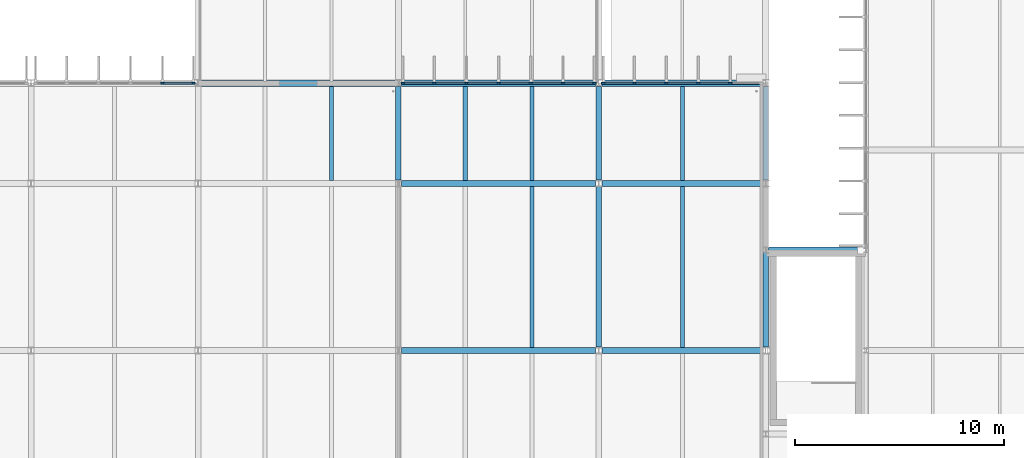
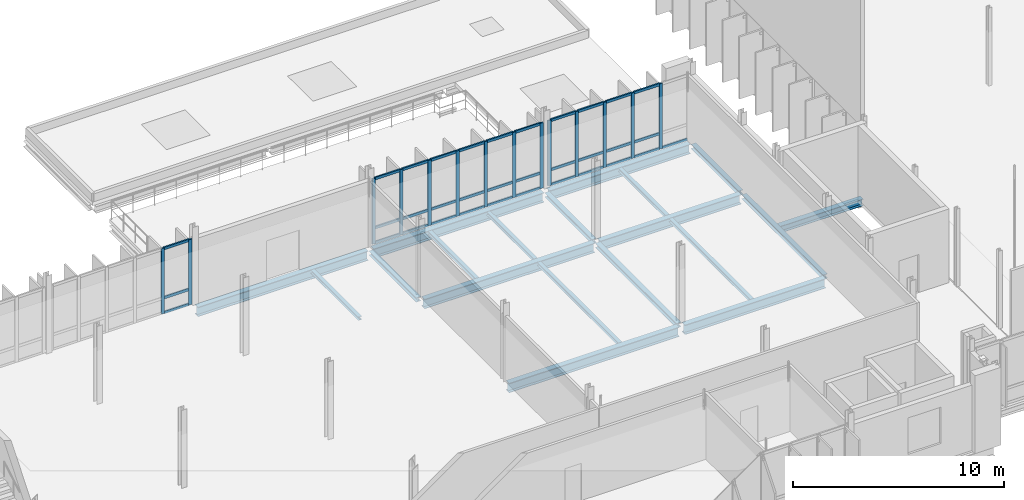
# One storey, part 36 of 110: 48 members, 19 beams, 3 elements without a shape of their own.
"""IFC4 building model written with IfcOpenShell, lengths in metres."""

from ifc_helpers import new_model, si_unit, direction, frame, origin, origin_2d, place, context, subcontext, project, spatial, rectangle, i_section, extrude, material, material_profile, profile_set, type_object, element, aggregate, save


model = new_model("IFC4")

# Units and contexts
model_context = context("Model", 3, precision=1e-05, world=origin(), true_north=direction((0.0, 1.0)))
body_context = subcontext(model_context, "Body", "Model", "MODEL_VIEW")
ifc_project = project(units=[si_unit("LENGTHUNIT", "METRE"), si_unit("AREAUNIT", "SQUARE_METRE"), si_unit("VOLUMEUNIT", "CUBIC_METRE"), si_unit("PLANEANGLEUNIT", "RADIAN"), si_unit("MASSUNIT", "GRAM", prefix="KILO")], contexts=[model_context])

# Site, building, storey
site_placement = place(None, origin())
site = spatial("IfcSite", under=ifc_project, at=site_placement, CompositionType="ELEMENT")
building_placement = place(site_placement, origin())
building = spatial("IfcBuilding", under=site, at=building_placement, Name="Dunescarp Central Library", CompositionType="ELEMENT")
storey_placement = place(building_placement, frame((0.0, 0.0, 9.60009765625)))
storey = spatial("IfcBuildingStorey", under=building, at=storey_placement, Name="L02", CompositionType="ELEMENT", Elevation=9.60009765625)

# Curtain wall, members
ifc_material_1 = material(Name="Marine-grade anodised aluminium 6063-T6", Category="aluminium")
curtain_wall_type = type_object("IfcCurtainWallType", Name="ARC-CW-STICK", PredefinedType="NOTDEFINED", material=ifc_material_1)
curtain_wall_1_placement = place(storey_placement, origin())
curtain_wall_1 = element("IfcCurtainWall", 1, at=curtain_wall_1_placement, inside=storey, type_object=curtain_wall_type, Name="L02 curtain wall CW-V3-095", PredefinedType="NOTDEFINED")
ifc_material_profile_1 = material_profile(ifc_material_1, rectangle(XDim=0.080078125, YDim=0.179931640625, at=origin_2d()), Name="AL 80x180")
ifc_profile_set_1 = profile_set([ifc_material_profile_1], Name="Marine-grade anodised aluminium 6063-T6")
member_type_1 = type_object("IfcMemberType", Name="ARC-CWM-180", PredefinedType="MULLION", material=ifc_profile_set_1)
member_1_placement = place(storey_placement, frame((95.89501953125, 33.60009765625, 0.0), z_axis=(0.0, 0.0, 1.0), x_axis=(0.0, 1.0, 0.0)))
member_1 = element("IfcMember", 2, at=member_1_placement, type_object=member_type_1, Name="CW-V3-095 mullion 5", PredefinedType="MULLION", context=body_context, shape_type="SweptSolid", body=[
    extrude(rectangle(XDim=0.080078125, YDim=0.179931640625, at=origin_2d()), origin(), (0.0, 0.0, 1.0), 3.77490234375),
])
member_2_placement = place(storey_placement, frame((97.385009765625, 33.60009765625, 0.0), z_axis=(0.0, 0.0, 1.0), x_axis=(0.0, 1.0, 0.0)))
member_2 = element("IfcMember", 3, at=member_2_placement, type_object=member_type_1, Name="CW-V3-095 mullion 6", PredefinedType="MULLION", context=body_context, shape_type="SweptSolid", body=[
    extrude(rectangle(XDim=0.080078125, YDim=0.179931640625, at=origin_2d()), origin(), (0.0, 0.0, 1.0), 3.77490234375),
])

curtain_wall_2_placement = place(storey_placement, origin())
curtain_wall_2 = element("IfcCurtainWall", 4, at=curtain_wall_2_placement, inside=storey, type_object=curtain_wall_type, Name="L02 curtain wall CW-V3-096", PredefinedType="NOTDEFINED")
member_3_placement = place(storey_placement, frame((107.4150390625, 33.60009765625, 0.0), z_axis=(0.0, 0.0, 1.0), x_axis=(0.0, 1.0, 0.0)))
member_3 = element("IfcMember", 5, at=member_3_placement, type_object=member_type_1, Name="CW-V3-096 mullion 1", PredefinedType="MULLION", context=body_context, shape_type="SweptSolid", body=[
    extrude(rectangle(XDim=0.080078125, YDim=0.179931640625, at=origin_2d()), origin(), (0.0, 0.0, 1.0), 3.77490234375),
])
member_4_placement = place(storey_placement, frame((108.916748046875, 33.60009765625, 0.0), z_axis=(0.0, 0.0, 1.0), x_axis=(0.0, 1.0, 0.0)))
member_4 = element("IfcMember", 6, at=member_4_placement, type_object=member_type_1, Name="CW-V3-096 mullion 2", PredefinedType="MULLION", context=body_context, shape_type="SweptSolid", body=[
    extrude(rectangle(XDim=0.080078125, YDim=0.179931640625, at=origin_2d()), origin(), (0.0, 0.0, 1.0), 3.77490234375),
])
member_5_placement = place(storey_placement, frame((110.458251953125, 33.60009765625, 0.0), z_axis=(0.0, 0.0, 1.0), x_axis=(0.0, 1.0, 0.0)))
member_5 = element("IfcMember", 7, at=member_5_placement, type_object=member_type_1, Name="CW-V3-096 mullion 3", PredefinedType="MULLION", context=body_context, shape_type="SweptSolid", body=[
    extrude(rectangle(XDim=0.080078125, YDim=0.179931640625, at=origin_2d()), origin(), (0.0, 0.0, 1.0), 3.77490234375),
])
member_6_placement = place(storey_placement, frame((112.0, 33.60009765625, 0.0), z_axis=(0.0, 0.0, 1.0), x_axis=(0.0, 1.0, 0.0)))
member_6 = element("IfcMember", 8, at=member_6_placement, type_object=member_type_1, Name="CW-V3-096 mullion 4", PredefinedType="MULLION", context=body_context, shape_type="SweptSolid", body=[
    extrude(rectangle(XDim=0.080078125, YDim=0.179931640625, at=origin_2d()), origin(), (0.0, 0.0, 1.0), 3.77490234375),
])
member_7_placement = place(storey_placement, frame((113.541748046875, 33.60009765625, 0.0), z_axis=(0.0, 0.0, 1.0), x_axis=(0.0, 1.0, 0.0)))
member_7 = element("IfcMember", 9, at=member_7_placement, type_object=member_type_1, Name="CW-V3-096 mullion 5", PredefinedType="MULLION", context=body_context, shape_type="SweptSolid", body=[
    extrude(rectangle(XDim=0.080078125, YDim=0.179931640625, at=origin_2d()), origin(), (0.0, 0.0, 1.0), 3.77490234375),
])
member_8_placement = place(storey_placement, frame((115.083251953125, 33.60009765625, 0.0), z_axis=(0.0, 0.0, 1.0), x_axis=(0.0, 1.0, 0.0)))
member_8 = element("IfcMember", 10, at=member_8_placement, type_object=member_type_1, Name="CW-V3-096 mullion 6", PredefinedType="MULLION", context=body_context, shape_type="SweptSolid", body=[
    extrude(rectangle(XDim=0.080078125, YDim=0.179931640625, at=origin_2d()), origin(), (0.0, 0.0, 1.0), 3.77490234375),
])
member_9_placement = place(storey_placement, frame((116.5849609375, 33.60009765625, 0.0), z_axis=(0.0, 0.0, 1.0), x_axis=(0.0, 1.0, 0.0)))
member_9 = element("IfcMember", 11, at=member_9_placement, type_object=member_type_1, Name="CW-V3-096 mullion 7", PredefinedType="MULLION", context=body_context, shape_type="SweptSolid", body=[
    extrude(rectangle(XDim=0.080078125, YDim=0.179931640625, at=origin_2d()), origin(), (0.0, 0.0, 1.0), 3.77490234375),
])

curtain_wall_3_placement = place(storey_placement, origin())
curtain_wall_3 = element("IfcCurtainWall", 12, at=curtain_wall_3_placement, inside=storey, type_object=curtain_wall_type, Name="L02 curtain wall CW-V3-097", PredefinedType="NOTDEFINED")
member_10_placement = place(storey_placement, frame((117.014892578125, 33.60009765625, 0.0), z_axis=(0.0, 0.0, 1.0), x_axis=(0.0, 1.0, 0.0)))
member_10 = element("IfcMember", 13, at=member_10_placement, type_object=member_type_1, Name="CW-V3-097 mullion 1", PredefinedType="MULLION", context=body_context, shape_type="SweptSolid", body=[
    extrude(rectangle(XDim=0.080078125, YDim=0.179931640625, at=origin_2d()), origin(), (0.0, 0.0, 1.0), 3.77490234375),
])
member_11_placement = place(storey_placement, frame((118.5048828125, 33.60009765625, 0.0), z_axis=(0.0, 0.0, 1.0), x_axis=(0.0, 1.0, 0.0)))
member_11 = element("IfcMember", 14, at=member_11_placement, type_object=member_type_1, Name="CW-V3-097 mullion 2", PredefinedType="MULLION", context=body_context, shape_type="SweptSolid", body=[
    extrude(rectangle(XDim=0.080078125, YDim=0.179931640625, at=origin_2d()), origin(), (0.0, 0.0, 1.0), 3.77490234375),
])
member_12_placement = place(storey_placement, frame((120.034912109375, 33.60009765625, 0.0), z_axis=(0.0, 0.0, 1.0), x_axis=(0.0, 1.0, 0.0)))
member_12 = element("IfcMember", 15, at=member_12_placement, type_object=member_type_1, Name="CW-V3-097 mullion 3", PredefinedType="MULLION", context=body_context, shape_type="SweptSolid", body=[
    extrude(rectangle(XDim=0.080078125, YDim=0.179931640625, at=origin_2d()), origin(), (0.0, 0.0, 1.0), 3.77490234375),
])
member_13_placement = place(storey_placement, frame((121.56494140625, 33.60009765625, 0.0), z_axis=(0.0, 0.0, 1.0), x_axis=(0.0, 1.0, 0.0)))
member_13 = element("IfcMember", 16, at=member_13_placement, type_object=member_type_1, Name="CW-V3-097 mullion 4", PredefinedType="MULLION", context=body_context, shape_type="SweptSolid", body=[
    extrude(rectangle(XDim=0.080078125, YDim=0.179931640625, at=origin_2d()), origin(), (0.0, 0.0, 1.0), 3.77490234375),
])
member_14_placement = place(storey_placement, frame((123.094970703125, 33.60009765625, 0.0), z_axis=(0.0, 0.0, 1.0), x_axis=(0.0, 1.0, 0.0)))
member_14 = element("IfcMember", 17, at=member_14_placement, type_object=member_type_1, Name="CW-V3-097 mullion 5", PredefinedType="MULLION", context=body_context, shape_type="SweptSolid", body=[
    extrude(rectangle(XDim=0.080078125, YDim=0.179931640625, at=origin_2d()), origin(), (0.0, 0.0, 1.0), 3.77490234375),
])

# Member
ifc_material_profile_2 = material_profile(ifc_material_1, rectangle(XDim=0.080078125, YDim=0.14990234375, at=origin_2d()), Name="AL 80x150")
ifc_profile_set_2 = profile_set([ifc_material_profile_2], Name="Marine-grade anodised aluminium 6063-T6")
member_type_2 = type_object("IfcMemberType", Name="ARC-CWT-150", PredefinedType="USERDEFINED", material=ifc_profile_set_2)
member_15_placement = place(storey_placement, frame((95.93505859375, 33.60009765625, 0.039794921875), z_axis=(1.0, 0.0, 0.0), x_axis=(0.0, 1.0, 0.0)))
member_15 = element("IfcMember", 18, at=member_15_placement, type_object=member_type_2, Name="CW-V3-095 transom 5.1", ObjectType="TRANSOM", PredefinedType="USERDEFINED", context=body_context, shape_type="SweptSolid", body=[
    extrude(rectangle(XDim=0.080078125, YDim=0.14990234375, at=origin_2d()), origin(), (0.0, 0.0, 1.0), 1.409912109375),
])

member_16_placement = place(storey_placement, frame((95.93505859375, 33.60009765625, 0.89990234375), z_axis=(1.0, 0.0, 0.0), x_axis=(0.0, 1.0, 0.0)))
member_16 = element("IfcMember", 19, at=member_16_placement, type_object=member_type_2, Name="CW-V3-095 transom 5.2", ObjectType="TRANSOM", PredefinedType="USERDEFINED", context=body_context, shape_type="SweptSolid", body=[
    extrude(rectangle(XDim=0.080078125, YDim=0.14990234375, at=origin_2d()), origin(), (0.0, 0.0, 1.0), 1.409912109375),
])

member_17_placement = place(storey_placement, frame((95.93505859375, 33.60009765625, 3.73486328125), z_axis=(1.0, 0.0, 0.0), x_axis=(0.0, 1.0, 0.0)))
member_17 = element("IfcMember", 20, at=member_17_placement, type_object=member_type_2, Name="CW-V3-095 transom 5.3", ObjectType="TRANSOM", PredefinedType="USERDEFINED", context=body_context, shape_type="SweptSolid", body=[
    extrude(rectangle(XDim=0.080078125, YDim=0.14990234375, at=origin_2d()), origin(), (0.0, 0.0, 1.0), 1.409912109375),
])

aggregate(curtain_wall_1, [member_1, member_2, member_15, member_16, member_17])

member_18_placement = place(storey_placement, frame((107.455078125, 33.60009765625, 0.039794921875), z_axis=(1.0, 0.0, 0.0), x_axis=(0.0, 1.0, 0.0)))
member_18 = element("IfcMember", 21, at=member_18_placement, type_object=member_type_2, Name="CW-V3-096 transom 1.1", ObjectType="TRANSOM", PredefinedType="USERDEFINED", context=body_context, shape_type="SweptSolid", body=[
    extrude(rectangle(XDim=0.080078125, YDim=0.14990234375, at=origin_2d()), origin(), (0.0, 0.0, 1.0), 1.421630859375),
])

member_19_placement = place(storey_placement, frame((107.455078125, 33.60009765625, 0.89990234375), z_axis=(1.0, 0.0, 0.0), x_axis=(0.0, 1.0, 0.0)))
member_19 = element("IfcMember", 22, at=member_19_placement, type_object=member_type_2, Name="CW-V3-096 transom 1.2", ObjectType="TRANSOM", PredefinedType="USERDEFINED", context=body_context, shape_type="SweptSolid", body=[
    extrude(rectangle(XDim=0.080078125, YDim=0.14990234375, at=origin_2d()), origin(), (0.0, 0.0, 1.0), 1.421630859375),
])

member_20_placement = place(storey_placement, frame((107.455078125, 33.60009765625, 3.73486328125), z_axis=(1.0, 0.0, 0.0), x_axis=(0.0, 1.0, 0.0)))
member_20 = element("IfcMember", 23, at=member_20_placement, type_object=member_type_2, Name="CW-V3-096 transom 1.3", ObjectType="TRANSOM", PredefinedType="USERDEFINED", context=body_context, shape_type="SweptSolid", body=[
    extrude(rectangle(XDim=0.080078125, YDim=0.14990234375, at=origin_2d()), origin(), (0.0, 0.0, 1.0), 1.421630859375),
])

member_21_placement = place(storey_placement, frame((108.956787109375, 33.60009765625, 0.039794921875), z_axis=(1.0, 0.0, 0.0), x_axis=(0.0, 1.0, 0.0)))
member_21 = element("IfcMember", 24, at=member_21_placement, type_object=member_type_2, Name="CW-V3-096 transom 2.1", ObjectType="TRANSOM", PredefinedType="USERDEFINED", context=body_context, shape_type="SweptSolid", body=[
    extrude(rectangle(XDim=0.080078125, YDim=0.14990234375, at=origin_2d()), origin(), (0.0, 0.0, 1.0), 1.46142578125),
])

member_22_placement = place(storey_placement, frame((108.956787109375, 33.60009765625, 0.89990234375), z_axis=(1.0, 0.0, 0.0), x_axis=(0.0, 1.0, 0.0)))
member_22 = element("IfcMember", 25, at=member_22_placement, type_object=member_type_2, Name="CW-V3-096 transom 2.2", ObjectType="TRANSOM", PredefinedType="USERDEFINED", context=body_context, shape_type="SweptSolid", body=[
    extrude(rectangle(XDim=0.080078125, YDim=0.14990234375, at=origin_2d()), origin(), (0.0, 0.0, 1.0), 1.46142578125),
])

member_23_placement = place(storey_placement, frame((108.956787109375, 33.60009765625, 3.73486328125), z_axis=(1.0, 0.0, 0.0), x_axis=(0.0, 1.0, 0.0)))
member_23 = element("IfcMember", 26, at=member_23_placement, type_object=member_type_2, Name="CW-V3-096 transom 2.3", ObjectType="TRANSOM", PredefinedType="USERDEFINED", context=body_context, shape_type="SweptSolid", body=[
    extrude(rectangle(XDim=0.080078125, YDim=0.14990234375, at=origin_2d()), origin(), (0.0, 0.0, 1.0), 1.46142578125),
])

member_24_placement = place(storey_placement, frame((110.498291015625, 33.60009765625, 0.039794921875), z_axis=(1.0, 0.0, 0.0), x_axis=(0.0, 1.0, 0.0)))
member_24 = element("IfcMember", 27, at=member_24_placement, type_object=member_type_2, Name="CW-V3-096 transom 3.1", ObjectType="TRANSOM", PredefinedType="USERDEFINED", context=body_context, shape_type="SweptSolid", body=[
    extrude(rectangle(XDim=0.080078125, YDim=0.14990234375, at=origin_2d()), origin(), (0.0, 0.0, 1.0), 1.461669921875),
])

member_25_placement = place(storey_placement, frame((110.498291015625, 33.60009765625, 0.89990234375), z_axis=(1.0, 0.0, 0.0), x_axis=(0.0, 1.0, 0.0)))
member_25 = element("IfcMember", 28, at=member_25_placement, type_object=member_type_2, Name="CW-V3-096 transom 3.2", ObjectType="TRANSOM", PredefinedType="USERDEFINED", context=body_context, shape_type="SweptSolid", body=[
    extrude(rectangle(XDim=0.080078125, YDim=0.14990234375, at=origin_2d()), origin(), (0.0, 0.0, 1.0), 1.461669921875),
])

member_26_placement = place(storey_placement, frame((110.498291015625, 33.60009765625, 3.73486328125), z_axis=(1.0, 0.0, 0.0), x_axis=(0.0, 1.0, 0.0)))
member_26 = element("IfcMember", 29, at=member_26_placement, type_object=member_type_2, Name="CW-V3-096 transom 3.3", ObjectType="TRANSOM", PredefinedType="USERDEFINED", context=body_context, shape_type="SweptSolid", body=[
    extrude(rectangle(XDim=0.080078125, YDim=0.14990234375, at=origin_2d()), origin(), (0.0, 0.0, 1.0), 1.461669921875),
])

member_27_placement = place(storey_placement, frame((112.0400390625, 33.60009765625, 0.039794921875), z_axis=(1.0, 0.0, 0.0), x_axis=(0.0, 1.0, 0.0)))
member_27 = element("IfcMember", 30, at=member_27_placement, type_object=member_type_2, Name="CW-V3-096 transom 4.1", ObjectType="TRANSOM", PredefinedType="USERDEFINED", context=body_context, shape_type="SweptSolid", body=[
    extrude(rectangle(XDim=0.080078125, YDim=0.14990234375, at=origin_2d()), origin(), (0.0, 0.0, 1.0), 1.461669921875),
])

member_28_placement = place(storey_placement, frame((112.0400390625, 33.60009765625, 0.89990234375), z_axis=(1.0, 0.0, 0.0), x_axis=(0.0, 1.0, 0.0)))
member_28 = element("IfcMember", 31, at=member_28_placement, type_object=member_type_2, Name="CW-V3-096 transom 4.2", ObjectType="TRANSOM", PredefinedType="USERDEFINED", context=body_context, shape_type="SweptSolid", body=[
    extrude(rectangle(XDim=0.080078125, YDim=0.14990234375, at=origin_2d()), origin(), (0.0, 0.0, 1.0), 1.461669921875),
])

member_29_placement = place(storey_placement, frame((112.0400390625, 33.60009765625, 3.73486328125), z_axis=(1.0, 0.0, 0.0), x_axis=(0.0, 1.0, 0.0)))
member_29 = element("IfcMember", 32, at=member_29_placement, type_object=member_type_2, Name="CW-V3-096 transom 4.3", ObjectType="TRANSOM", PredefinedType="USERDEFINED", context=body_context, shape_type="SweptSolid", body=[
    extrude(rectangle(XDim=0.080078125, YDim=0.14990234375, at=origin_2d()), origin(), (0.0, 0.0, 1.0), 1.461669921875),
])

member_30_placement = place(storey_placement, frame((113.581787109375, 33.60009765625, 0.039794921875), z_axis=(1.0, 0.0, 0.0), x_axis=(0.0, 1.0, 0.0)))
member_30 = element("IfcMember", 33, at=member_30_placement, type_object=member_type_2, Name="CW-V3-096 transom 5.1", ObjectType="TRANSOM", PredefinedType="USERDEFINED", context=body_context, shape_type="SweptSolid", body=[
    extrude(rectangle(XDim=0.080078125, YDim=0.14990234375, at=origin_2d()), origin(), (0.0, 0.0, 1.0), 1.46142578125),
])

member_31_placement = place(storey_placement, frame((113.581787109375, 33.60009765625, 0.89990234375), z_axis=(1.0, 0.0, 0.0), x_axis=(0.0, 1.0, 0.0)))
member_31 = element("IfcMember", 34, at=member_31_placement, type_object=member_type_2, Name="CW-V3-096 transom 5.2", ObjectType="TRANSOM", PredefinedType="USERDEFINED", context=body_context, shape_type="SweptSolid", body=[
    extrude(rectangle(XDim=0.080078125, YDim=0.14990234375, at=origin_2d()), origin(), (0.0, 0.0, 1.0), 1.46142578125),
])

member_32_placement = place(storey_placement, frame((113.581787109375, 33.60009765625, 3.73486328125), z_axis=(1.0, 0.0, 0.0), x_axis=(0.0, 1.0, 0.0)))
member_32 = element("IfcMember", 35, at=member_32_placement, type_object=member_type_2, Name="CW-V3-096 transom 5.3", ObjectType="TRANSOM", PredefinedType="USERDEFINED", context=body_context, shape_type="SweptSolid", body=[
    extrude(rectangle(XDim=0.080078125, YDim=0.14990234375, at=origin_2d()), origin(), (0.0, 0.0, 1.0), 1.46142578125),
])

member_33_placement = place(storey_placement, frame((115.123291015625, 33.60009765625, 0.039794921875), z_axis=(1.0, 0.0, 0.0), x_axis=(0.0, 1.0, 0.0)))
member_33 = element("IfcMember", 36, at=member_33_placement, type_object=member_type_2, Name="CW-V3-096 transom 6.1", ObjectType="TRANSOM", PredefinedType="USERDEFINED", context=body_context, shape_type="SweptSolid", body=[
    extrude(rectangle(XDim=0.080078125, YDim=0.14990234375, at=origin_2d()), origin(), (0.0, 0.0, 1.0), 1.421630859375),
])

member_34_placement = place(storey_placement, frame((115.123291015625, 33.60009765625, 0.89990234375), z_axis=(1.0, 0.0, 0.0), x_axis=(0.0, 1.0, 0.0)))
member_34 = element("IfcMember", 37, at=member_34_placement, type_object=member_type_2, Name="CW-V3-096 transom 6.2", ObjectType="TRANSOM", PredefinedType="USERDEFINED", context=body_context, shape_type="SweptSolid", body=[
    extrude(rectangle(XDim=0.080078125, YDim=0.14990234375, at=origin_2d()), origin(), (0.0, 0.0, 1.0), 1.421630859375),
])

member_35_placement = place(storey_placement, frame((115.123291015625, 33.60009765625, 3.73486328125), z_axis=(1.0, 0.0, 0.0), x_axis=(0.0, 1.0, 0.0)))
member_35 = element("IfcMember", 38, at=member_35_placement, type_object=member_type_2, Name="CW-V3-096 transom 6.3", ObjectType="TRANSOM", PredefinedType="USERDEFINED", context=body_context, shape_type="SweptSolid", body=[
    extrude(rectangle(XDim=0.080078125, YDim=0.14990234375, at=origin_2d()), origin(), (0.0, 0.0, 1.0), 1.421630859375),
])

aggregate(curtain_wall_2, [member_3, member_4, member_5, member_6, member_7, member_8, member_9, member_18, member_19, member_20, member_21, member_22, member_23, member_24, member_25, member_26, member_27, member_28, member_29, member_30, member_31, member_32, member_33, member_34, member_35])

member_36_placement = place(storey_placement, frame((117.054931640625, 33.60009765625, 0.039794921875), z_axis=(1.0, 0.0, 0.0), x_axis=(0.0, 1.0, 0.0)))
member_36 = element("IfcMember", 39, at=member_36_placement, type_object=member_type_2, Name="CW-V3-097 transom 1.1", ObjectType="TRANSOM", PredefinedType="USERDEFINED", context=body_context, shape_type="SweptSolid", body=[
    extrude(rectangle(XDim=0.080078125, YDim=0.14990234375, at=origin_2d()), origin(), (0.0, 0.0, 1.0), 1.41015625),
])

member_37_placement = place(storey_placement, frame((117.054931640625, 33.60009765625, 0.89990234375), z_axis=(1.0, 0.0, 0.0), x_axis=(0.0, 1.0, 0.0)))
member_37 = element("IfcMember", 40, at=member_37_placement, type_object=member_type_2, Name="CW-V3-097 transom 1.2", ObjectType="TRANSOM", PredefinedType="USERDEFINED", context=body_context, shape_type="SweptSolid", body=[
    extrude(rectangle(XDim=0.080078125, YDim=0.14990234375, at=origin_2d()), origin(), (0.0, 0.0, 1.0), 1.41015625),
])

member_38_placement = place(storey_placement, frame((117.054931640625, 33.60009765625, 3.73486328125), z_axis=(1.0, 0.0, 0.0), x_axis=(0.0, 1.0, 0.0)))
member_38 = element("IfcMember", 41, at=member_38_placement, type_object=member_type_2, Name="CW-V3-097 transom 1.3", ObjectType="TRANSOM", PredefinedType="USERDEFINED", context=body_context, shape_type="SweptSolid", body=[
    extrude(rectangle(XDim=0.080078125, YDim=0.14990234375, at=origin_2d()), origin(), (0.0, 0.0, 1.0), 1.41015625),
])

member_39_placement = place(storey_placement, frame((118.544921875, 33.60009765625, 0.039794921875), z_axis=(1.0, 0.0, 0.0), x_axis=(0.0, 1.0, 0.0)))
member_39 = element("IfcMember", 42, at=member_39_placement, type_object=member_type_2, Name="CW-V3-097 transom 2.1", ObjectType="TRANSOM", PredefinedType="USERDEFINED", context=body_context, shape_type="SweptSolid", body=[
    extrude(rectangle(XDim=0.080078125, YDim=0.14990234375, at=origin_2d()), origin(), (0.0, 0.0, 1.0), 1.4501953125),
])

member_40_placement = place(storey_placement, frame((118.544921875, 33.60009765625, 0.89990234375), z_axis=(1.0, 0.0, 0.0), x_axis=(0.0, 1.0, 0.0)))
member_40 = element("IfcMember", 43, at=member_40_placement, type_object=member_type_2, Name="CW-V3-097 transom 2.2", ObjectType="TRANSOM", PredefinedType="USERDEFINED", context=body_context, shape_type="SweptSolid", body=[
    extrude(rectangle(XDim=0.080078125, YDim=0.14990234375, at=origin_2d()), origin(), (0.0, 0.0, 1.0), 1.4501953125),
])

member_41_placement = place(storey_placement, frame((118.544921875, 33.60009765625, 3.73486328125), z_axis=(1.0, 0.0, 0.0), x_axis=(0.0, 1.0, 0.0)))
member_41 = element("IfcMember", 44, at=member_41_placement, type_object=member_type_2, Name="CW-V3-097 transom 2.3", ObjectType="TRANSOM", PredefinedType="USERDEFINED", context=body_context, shape_type="SweptSolid", body=[
    extrude(rectangle(XDim=0.080078125, YDim=0.14990234375, at=origin_2d()), origin(), (0.0, 0.0, 1.0), 1.4501953125),
])

member_42_placement = place(storey_placement, frame((120.074951171875, 33.60009765625, 0.039794921875), z_axis=(1.0, 0.0, 0.0), x_axis=(0.0, 1.0, 0.0)))
member_42 = element("IfcMember", 45, at=member_42_placement, type_object=member_type_2, Name="CW-V3-097 transom 3.1", ObjectType="TRANSOM", PredefinedType="USERDEFINED", context=body_context, shape_type="SweptSolid", body=[
    extrude(rectangle(XDim=0.080078125, YDim=0.14990234375, at=origin_2d()), origin(), (0.0, 0.0, 1.0), 1.449951171875),
])

member_43_placement = place(storey_placement, frame((120.074951171875, 33.60009765625, 0.89990234375), z_axis=(1.0, 0.0, 0.0), x_axis=(0.0, 1.0, 0.0)))
member_43 = element("IfcMember", 46, at=member_43_placement, type_object=member_type_2, Name="CW-V3-097 transom 3.2", ObjectType="TRANSOM", PredefinedType="USERDEFINED", context=body_context, shape_type="SweptSolid", body=[
    extrude(rectangle(XDim=0.080078125, YDim=0.14990234375, at=origin_2d()), origin(), (0.0, 0.0, 1.0), 1.449951171875),
])

member_44_placement = place(storey_placement, frame((120.074951171875, 33.60009765625, 3.73486328125), z_axis=(1.0, 0.0, 0.0), x_axis=(0.0, 1.0, 0.0)))
member_44 = element("IfcMember", 47, at=member_44_placement, type_object=member_type_2, Name="CW-V3-097 transom 3.3", ObjectType="TRANSOM", PredefinedType="USERDEFINED", context=body_context, shape_type="SweptSolid", body=[
    extrude(rectangle(XDim=0.080078125, YDim=0.14990234375, at=origin_2d()), origin(), (0.0, 0.0, 1.0), 1.449951171875),
])

member_45_placement = place(storey_placement, frame((121.60498046875, 33.60009765625, 0.039794921875), z_axis=(1.0, 0.0, 0.0), x_axis=(0.0, 1.0, 0.0)))
member_45 = element("IfcMember", 48, at=member_45_placement, type_object=member_type_2, Name="CW-V3-097 transom 4.1", ObjectType="TRANSOM", PredefinedType="USERDEFINED", context=body_context, shape_type="SweptSolid", body=[
    extrude(rectangle(XDim=0.080078125, YDim=0.14990234375, at=origin_2d()), origin(), (0.0, 0.0, 1.0), 1.449951171875),
])

member_46_placement = place(storey_placement, frame((121.60498046875, 33.60009765625, 0.89990234375), z_axis=(1.0, 0.0, 0.0), x_axis=(0.0, 1.0, 0.0)))
member_46 = element("IfcMember", 49, at=member_46_placement, type_object=member_type_2, Name="CW-V3-097 transom 4.2", ObjectType="TRANSOM", PredefinedType="USERDEFINED", context=body_context, shape_type="SweptSolid", body=[
    extrude(rectangle(XDim=0.080078125, YDim=0.14990234375, at=origin_2d()), origin(), (0.0, 0.0, 1.0), 1.449951171875),
])

member_47_placement = place(storey_placement, frame((121.60498046875, 33.60009765625, 3.73486328125), z_axis=(1.0, 0.0, 0.0), x_axis=(0.0, 1.0, 0.0)))
member_47 = element("IfcMember", 50, at=member_47_placement, type_object=member_type_2, Name="CW-V3-097 transom 4.3", ObjectType="TRANSOM", PredefinedType="USERDEFINED", context=body_context, shape_type="SweptSolid", body=[
    extrude(rectangle(XDim=0.080078125, YDim=0.14990234375, at=origin_2d()), origin(), (0.0, 0.0, 1.0), 1.449951171875),
])

member_48_placement = place(storey_placement, frame((123.135009765625, 33.60009765625, 0.039794921875), z_axis=(1.0, 0.0, 0.0), x_axis=(0.0, 1.0, 0.0)))
member_48 = element("IfcMember", 51, at=member_48_placement, type_object=member_type_2, Name="CW-V3-097 transom 5.1", ObjectType="TRANSOM", PredefinedType="USERDEFINED", context=body_context, shape_type="SweptSolid", body=[
    extrude(rectangle(XDim=0.080078125, YDim=0.14990234375, at=origin_2d()), origin(), (0.0, 0.0, 1.0), 1.409912109375),
])

aggregate(curtain_wall_3, [member_10, member_11, member_12, member_13, member_14, member_36, member_37, member_38, member_39, member_40, member_41, member_42, member_43, member_44, member_45, member_46, member_47, member_48])

# Beams
ifc_material_2 = material(Name="Steel S355JR", Category="steel")
ifc_material_profile_3 = material_profile(ifc_material_2, i_section(OverallWidth=0.260009765625, OverallDepth=0.25, WebThickness=0.007568359375, FlangeThickness=0.012451171875, at=origin_2d()), Name="HEA 260")
ifc_profile_set_3 = profile_set([ifc_material_profile_3], Name="Steel S355JR")
beam_type_1 = type_object("IfcBeamType", Name="STR-BM-HEA260", PredefinedType="BEAM", material=ifc_profile_set_3)
beam_1_placement = place(storey_placement, frame((107.199951171875, 28.95703125, -0.335205078125), z_axis=(0.0, 1.0, 0.0), x_axis=(-1.0, 0.0, 0.0)))
element("IfcBeam", 52, at=beam_1_placement, inside=storey, type_object=beam_type_1, Name="L02 girder BM-L02-0776", PredefinedType="BEAM", context=body_context, shape_type="SweptSolid", body=[
    extrude(i_section(OverallWidth=0.260009765625, OverallDepth=0.25, WebThickness=0.007568359375, FlangeThickness=0.012451171875, at=origin_2d()), origin(), (0.0, 0.0, 1.0), 4.486083984375),
])
beam_2_placement = place(storey_placement, frame((116.800048828125, 20.95703125, -0.335205078125), z_axis=(0.0, 1.0, 0.0), x_axis=(-1.0, 0.0, 0.0)))
element("IfcBeam", 53, at=beam_2_placement, inside=storey, type_object=beam_type_1, Name="L02 girder BM-L02-0789", PredefinedType="BEAM", context=body_context, shape_type="SweptSolid", body=[
    extrude(i_section(OverallWidth=0.260009765625, OverallDepth=0.25, WebThickness=0.007568359375, FlangeThickness=0.012451171875, at=origin_2d()), origin(), (0.0, 0.0, 1.0), 7.68603515625),
])
beam_3_placement = place(storey_placement, frame((116.800048828125, 28.95703125, -0.335205078125), z_axis=(0.0, 1.0, 0.0), x_axis=(-1.0, 0.0, 0.0)))
element("IfcBeam", 54, at=beam_3_placement, inside=storey, type_object=beam_type_1, Name="L02 girder BM-L02-0793", PredefinedType="BEAM", context=body_context, shape_type="SweptSolid", body=[
    extrude(i_section(OverallWidth=0.260009765625, OverallDepth=0.25, WebThickness=0.007568359375, FlangeThickness=0.012451171875, at=origin_2d()), origin(), (0.0, 0.0, 1.0), 4.486083984375),
])
beam_4_placement = place(storey_placement, frame((124.800048828125, 20.95703125, -0.335205078125), z_axis=(0.0, 1.0, 0.0), x_axis=(-1.0, 0.0, 0.0)))
element("IfcBeam", 55, at=beam_4_placement, inside=storey, type_object=beam_type_1, Name="L02 girder BM-L02-0804", PredefinedType="BEAM", context=body_context, shape_type="SweptSolid", body=[
    extrude(i_section(OverallWidth=0.260009765625, OverallDepth=0.25, WebThickness=0.007568359375, FlangeThickness=0.012451171875, at=origin_2d()), origin(), (0.0, 0.0, 1.0), 7.68603515625),
])
beam_5_placement = place(storey_placement, frame((124.800048828125, 28.95703125, -0.335205078125), z_axis=(0.0, 1.0, 0.0), x_axis=(-1.0, 0.0, 0.0)))
element("IfcBeam", 56, at=beam_5_placement, inside=storey, type_object=beam_type_1, Name="L02 girder BM-L02-0807", PredefinedType="BEAM", context=body_context, shape_type="SweptSolid", body=[
    extrude(i_section(OverallWidth=0.260009765625, OverallDepth=0.25, WebThickness=0.007568359375, FlangeThickness=0.012451171875, at=origin_2d()), origin(), (0.0, 0.0, 1.0), 4.486083984375),
])
ifc_material_profile_4 = material_profile(ifc_material_2, i_section(OverallWidth=0.300048828125, OverallDepth=0.389892578125, WebThickness=0.010986328125, FlangeThickness=0.01904296875, at=origin_2d()), Name="HEA 400")
ifc_profile_set_4 = profile_set([ifc_material_profile_4], Name="Steel S355JR")
beam_type_2 = type_object("IfcBeamType", Name="STR-BM-HEA400", PredefinedType="BEAM", material=ifc_profile_set_4)
beam_6_placement = place(storey_placement, frame((124.926025390625, 25.60009765625, -0.405029296875), z_axis=(1.0, 0.0, 0.0), x_axis=(0.0, 1.0, 0.0)))
element("IfcBeam", 57, at=beam_6_placement, inside=storey, type_object=beam_type_2, Name="L02 girder BM-L02-1264", PredefinedType="BEAM", context=body_context, shape_type="SweptSolid", body=[
    extrude(i_section(OverallWidth=0.300048828125, OverallDepth=0.389892578125, WebThickness=0.010986328125, FlangeThickness=0.01904296875, at=origin_2d()), origin(), (0.0, 0.0, 1.0), 4.549072265625),
])
ifc_material_profile_5 = material_profile(ifc_material_2, i_section(OverallWidth=0.300048828125, OverallDepth=0.550048828125, WebThickness=0.014892578125, FlangeThickness=0.029052734375, at=origin_2d()), Name="HEB 550")
ifc_profile_set_5 = profile_set([ifc_material_profile_5], Name="Steel S355JR")
beam_type_3 = type_object("IfcBeamType", Name="STR-BM-HEB550", PredefinedType="BEAM", material=ifc_profile_set_5)
beam_7_placement = place(storey_placement, frame((97.751953125, 33.60009765625, -0.485107421875), z_axis=(1.0, 0.0, 0.0), x_axis=(0.0, 1.0, 0.0)))
element("IfcBeam", 58, at=beam_7_placement, inside=storey, type_object=beam_type_3, Name="L02 girder BM-L02-0775", PredefinedType="BEAM", context=body_context, shape_type="SweptSolid", body=[
    extrude(i_section(OverallWidth=0.300048828125, OverallDepth=0.550048828125, WebThickness=0.014892578125, FlangeThickness=0.029052734375, at=origin_2d()), origin(), (0.0, 0.0, 1.0), 9.296142578125),
])
for number, where, z_axis, x_axis, name in (
    (59, (107.35205078125, 20.800048828125, -0.485107421875), (1.0, 0.0, 0.0), (0.0, 1.0, 0.0), "L02 girder BM-L02-0784"),
    (60, (107.35205078125, 28.800048828125, -0.485107421875), (1.0, 0.0, 0.0), (0.0, 1.0, 0.0), "L02 girder BM-L02-0788"),
    (61, (107.35205078125, 33.60009765625, -0.485107421875), (1.0, 0.0, 0.0), (0.0, 1.0, 0.0), "L02 girder BM-L02-0792"),
):
    element("IfcBeam", number, at=place(storey_placement, frame(where, z_axis=z_axis, x_axis=x_axis)), inside=storey, type_object=beam_type_3, Name=name, PredefinedType="BEAM", context=body_context, shape_type="SweptSolid", body=[
        extrude(i_section(OverallWidth=0.300048828125, OverallDepth=0.550048828125, WebThickness=0.014892578125, FlangeThickness=0.029052734375, at=origin_2d()), origin(), (0.0, 0.0, 1.0), 9.2958984375),
    ])
for number, where, z_axis, x_axis, name in (
    (62, (116.951904296875, 20.800048828125, -0.485107421875), (1.0, 0.0, 0.0), (0.0, 1.0, 0.0), "L02 girder BM-L02-0800"),
    (63, (116.951904296875, 28.800048828125, -0.485107421875), (1.0, 0.0, 0.0), (0.0, 1.0, 0.0), "L02 girder BM-L02-0803"),
    (64, (116.951904296875, 33.60009765625, -0.485107421875), (1.0, 0.0, 0.0), (0.0, 1.0, 0.0), "L02 girder BM-L02-0806"),
):
    element("IfcBeam", number, at=place(storey_placement, frame(where, z_axis=z_axis, x_axis=x_axis)), inside=storey, type_object=beam_type_3, Name=name, PredefinedType="BEAM", context=body_context, shape_type="SweptSolid", body=[
        extrude(i_section(OverallWidth=0.300048828125, OverallDepth=0.550048828125, WebThickness=0.014892578125, FlangeThickness=0.029052734375, at=origin_2d()), origin(), (0.0, 0.0, 1.0), 7.696044921875),
    ])
ifc_material_profile_6 = material_profile(ifc_material_2, i_section(OverallWidth=0.199951171875, OverallDepth=0.18994140625, WebThickness=0.006591796875, FlangeThickness=0.010009765625, at=origin_2d()), Name="HEA 200")
ifc_profile_set_6 = profile_set([ifc_material_profile_6], Name="Steel S355JR")
beam_type_4 = type_object("IfcBeamType", Name="STR-JS-HEA200", PredefinedType="JOIST", material=ifc_profile_set_6)
beam_8_placement = place(storey_placement, frame((104.0, 28.947998046875, -0.30517578125), z_axis=(0.0, 1.0, 0.0), x_axis=(-1.0, 0.0, 0.0)))
element("IfcBeam", 65, at=beam_8_placement, inside=storey, type_object=beam_type_4, Name="L02 joist JS-L02-0778", PredefinedType="JOIST", context=body_context, shape_type="SweptSolid", body=[
    extrude(i_section(OverallWidth=0.199951171875, OverallDepth=0.18994140625, WebThickness=0.006591796875, FlangeThickness=0.010009765625, at=origin_2d()), origin(), (0.0, 0.0, 1.0), 4.50390625),
])
beam_9_placement = place(storey_placement, frame((113.60009765625, 20.947998046875, -0.30517578125), z_axis=(0.0, 1.0, 0.0), x_axis=(-1.0, 0.0, 0.0)))
element("IfcBeam", 66, at=beam_9_placement, inside=storey, type_object=beam_type_4, Name="L02 joist JS-L02-0791", PredefinedType="JOIST", context=body_context, shape_type="SweptSolid", body=[
    extrude(i_section(OverallWidth=0.199951171875, OverallDepth=0.18994140625, WebThickness=0.006591796875, FlangeThickness=0.010009765625, at=origin_2d()), origin(), (0.0, 0.0, 1.0), 7.7041015625),
])
for number, where, z_axis, x_axis, name in (
    (67, (110.39990234375, 28.947998046875, -0.30517578125), (0.0, 1.0, 0.0), (-1.0, 0.0, 0.0), "L02 joist JS-L02-0794"),
    (68, (113.60009765625, 28.947998046875, -0.30517578125), (0.0, 1.0, 0.0), (-1.0, 0.0, 0.0), "L02 joist JS-L02-0795"),
):
    element("IfcBeam", number, at=place(storey_placement, frame(where, z_axis=z_axis, x_axis=x_axis)), inside=storey, type_object=beam_type_4, Name=name, PredefinedType="JOIST", context=body_context, shape_type="SweptSolid", body=[
        extrude(i_section(OverallWidth=0.199951171875, OverallDepth=0.18994140625, WebThickness=0.006591796875, FlangeThickness=0.010009765625, at=origin_2d()), origin(), (0.0, 0.0, 1.0), 4.50390625),
    ])
beam_10_placement = place(storey_placement, frame((120.800048828125, 20.947998046875, -0.30517578125), z_axis=(0.0, 1.0, 0.0), x_axis=(-1.0, 0.0, 0.0)))
element("IfcBeam", 69, at=beam_10_placement, inside=storey, type_object=beam_type_4, Name="L02 joist JS-L02-0805", PredefinedType="JOIST", context=body_context, shape_type="SweptSolid", body=[
    extrude(i_section(OverallWidth=0.199951171875, OverallDepth=0.18994140625, WebThickness=0.006591796875, FlangeThickness=0.010009765625, at=origin_2d()), origin(), (0.0, 0.0, 1.0), 7.7041015625),
])
beam_11_placement = place(storey_placement, frame((120.800048828125, 28.947998046875, -0.30517578125), z_axis=(0.0, 1.0, 0.0), x_axis=(-1.0, 0.0, 0.0)))
element("IfcBeam", 70, at=beam_11_placement, inside=storey, type_object=beam_type_4, Name="L02 joist JS-L02-0808", PredefinedType="JOIST", context=body_context, shape_type="SweptSolid", body=[
    extrude(i_section(OverallWidth=0.199951171875, OverallDepth=0.18994140625, WebThickness=0.006591796875, FlangeThickness=0.010009765625, at=origin_2d()), origin(), (0.0, 0.0, 1.0), 4.50390625),
])

save(model, "model.ifc")
